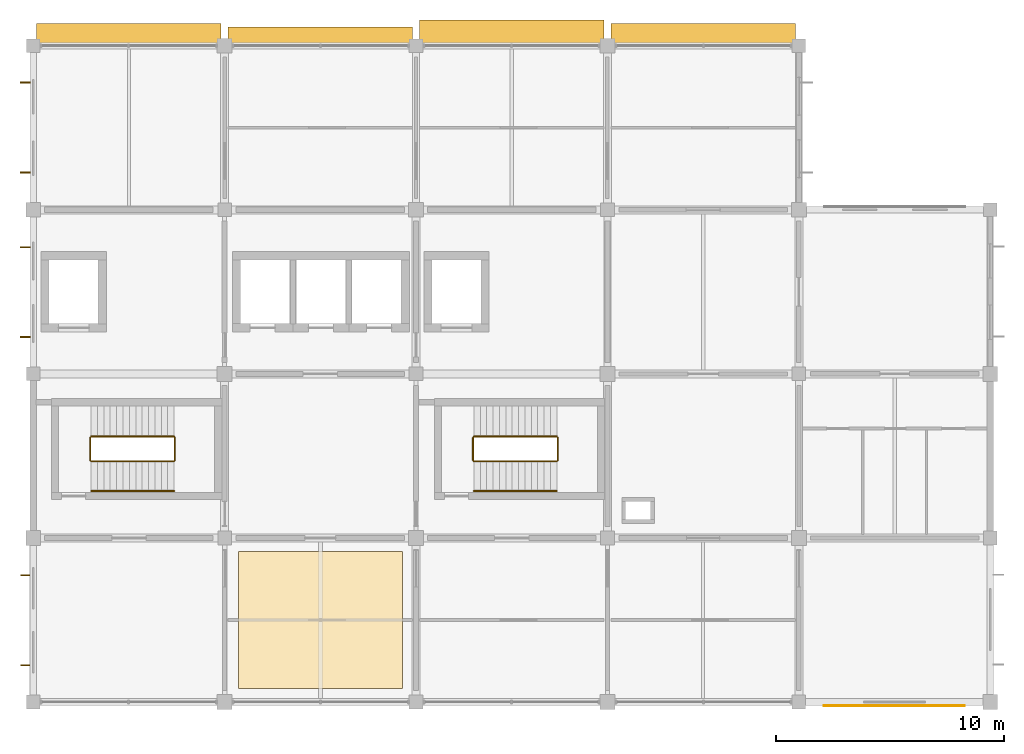
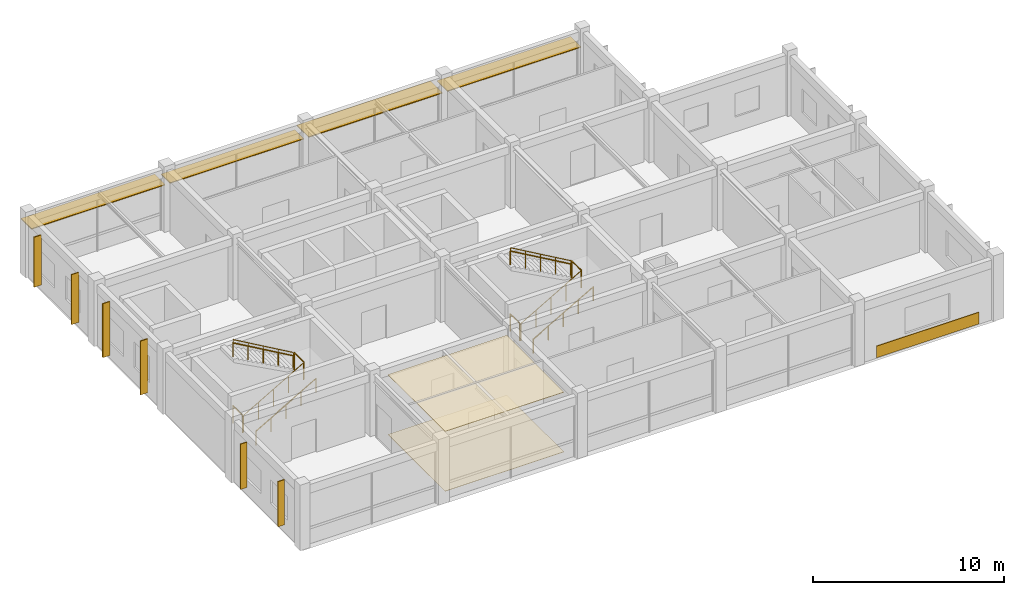
# One storey, part 12 of 13: 12 railings, 10 shading devices, 3 coverings.
"""IFC4 building model written with IfcOpenShell, lengths in metres."""

from ifc_helpers import new_model, si_unit, derived_unit, direction, frame, origin, origin_2d, place, context, subcontext, project, spatial, polyline, rectangle, circle, outline, extrude, material, layer, layer_set, type_object, element, save


model = new_model("IFC4")

# Units and contexts
model_context = context("Model", 3, precision=1e-05, world=origin(), true_north=direction((0.0, 1.0)))
body_context = subcontext(model_context, "Body", "Model", "MODEL_VIEW")
ifc_project = project(units=[si_unit("LENGTHUNIT", "METRE"), si_unit("AREAUNIT", "SQUARE_METRE"), si_unit("VOLUMEUNIT", "CUBIC_METRE"), si_unit("PLANEANGLEUNIT", "RADIAN"), si_unit("MASSUNIT", "GRAM", prefix="KILO"), derived_unit("THERMALTRANSMITTANCEUNIT", [(si_unit("MASSUNIT", "GRAM", prefix="KILO"), 1), (si_unit("TIMEUNIT", "SECOND"), -3), (si_unit("THERMODYNAMICTEMPERATUREUNIT", "KELVIN"), -1)])], contexts=[model_context])

# Site, building, storey
site_placement = place(None, origin())
site = spatial("IfcSite", under=ifc_project, at=site_placement, CompositionType="ELEMENT")
building_placement = place(site_placement, origin())
building = spatial("IfcBuilding", under=site, at=building_placement, Name="Veldstrom Oceanarium and Marine Research Institute", CompositionType="ELEMENT")
storey_placement = place(building_placement, frame((0.0, 0.0, 56.39990234375)))
storey = spatial("IfcBuildingStorey", under=building, at=storey_placement, Name="L12", CompositionType="ELEMENT", Elevation=56.39990234375)

# Coverings
ifc_material_1 = material(Name="Terracotta Spandrel Rainscreen Cladding", Category="masonry")
ifc_layer_1 = layer(ifc_material_1, 0.75)
ifc_layer_set_1 = layer_set([ifc_layer_1], Name="ARC-COV-CD2")
covering_type_1 = type_object("IfcCoveringType", Name="ARC-COV-CD2", PredefinedType="CLADDING", material=ifc_layer_set_1)
covering_1_placement = place(storey_placement, frame((113.387451171875, 43.029052734375, 0.045166015625), z_axis=(0.0, 0.0, 1.0), x_axis=(1.0, 0.0, 0.0)))
element("IfcCovering", 1, at=covering_1_placement, inside=storey, type_object=covering_type_1, Name="Spandrel Rainscreen Cladding L12-159", PredefinedType="CLADDING", context=body_context, shape_type="SweptSolid", body=[
    extrude(rectangle(XDim=6.199951171875, YDim=0.0400390625, at=origin_2d()), origin(), (0.0, 0.0, 1.0), 0.75),
])
ifc_material_2 = material(Name="Mineral-Fibre Acoustic Ceiling Tile", Category="gypsum")
ifc_layer_2 = layer(ifc_material_2, 0.02490234375)
ifc_layer_set_2 = layer_set([ifc_layer_2], Name="ARC-COV-CL1")
covering_type_2 = type_object("IfcCoveringType", Name="ARC-COV-CL1", PredefinedType="CEILING", material=ifc_layer_set_2)
covering_2_placement = place(storey_placement, frame((0.0, 0.0, 3.8251953125)))
element("IfcCovering", 2, at=covering_2_placement, inside=storey, type_object=covering_type_2, Name="Suspended Acoustic Ceiling L12", PredefinedType="CEILING", context=body_context, shape_type="SweptSolid", body=[
    extrude(outline(polyline([(84.60009765625, 43.800048828125), (91.800048828125, 43.800048828125), (91.800048828125, 49.800048828125), (84.60009765625, 49.800048828125), (84.60009765625, 43.800048828125)])), origin(), (0.0, 0.0, 1.0), 0.02490234375),
])
ifc_material_3 = material(Name="Polished Terrazzo and Marine Epoxy Flooring", Category="concrete")
ifc_layer_3 = layer(ifc_material_3, 0.02001953125)
ifc_layer_set_3 = layer_set([ifc_layer_3], Name="ARC-COV-FL1")
covering_type_3 = type_object("IfcCoveringType", Name="ARC-COV-FL1", PredefinedType="FLOORING", material=ifc_layer_set_3)
covering_3_placement = place(storey_placement, origin())
element("IfcCovering", 3, at=covering_3_placement, inside=storey, type_object=covering_type_3, Name="Terrazzo and Marine Epoxy Floor Finish L12", PredefinedType="FLOORING", context=body_context, shape_type="SweptSolid", body=[
    extrude(outline(polyline([(84.60009765625, 43.800048828125), (91.800048828125, 43.800048828125), (91.800048828125, 49.800048828125), (84.60009765625, 49.800048828125), (84.60009765625, 43.800048828125)])), origin(), (0.0, 0.0, 1.0), 0.02001953125),
])

# Railings
ifc_material_4 = material(Name="Duplex Stainless Steel Balustrade", Category="steel")
ifc_layer_4 = layer(ifc_material_4, 0.06005859375)
ifc_layer_set_4 = layer_set([ifc_layer_4], Name="ARC-RLG-GR1")
railing_type_1 = type_object("IfcRailingType", Name="ARC-RLG-GR1", PredefinedType="GUARDRAIL", material=ifc_layer_set_4)
railing_1_placement = place(storey_placement, frame((78.10009765625, 53.800048828125, 0.0)))
element("IfcRailing", 4, at=railing_1_placement, inside=storey, type_object=railing_type_1, Name="Stair Well Landing Guard ST1 L12", PredefinedType="GUARDRAIL", context=body_context, shape_type="SweptSolid", body=[
    extrude(circle(Radius=0.02392578125, at=origin_2d()), frame((0.0, 0.0, 1.09619140625), z_axis=(0.0, 1.0, 0.0), x_axis=(-1.0, 0.0, 0.0)), (0.0, 0.0, 1.0), 1.0),
    extrude(circle(Radius=0.02099609375, at=origin_2d()), origin(), (0.0, 0.0, 1.0), 1.072021484375),
    extrude(circle(Radius=0.02099609375, at=origin_2d()), frame((0.0, 1.0, 0.0)), (0.0, 0.0, 1.0), 1.072021484375),
])
railing_2_placement = place(storey_placement, frame((78.139892578125, 53.760009765625, 0.0)))
element("IfcRailing", 5, at=railing_2_placement, inside=storey, type_object=railing_type_1, Name="Stair Flight Guardrail ST1-L12-1", PredefinedType="GUARDRAIL", context=body_context, shape_type="SweptSolid", body=[
    extrude(circle(Radius=0.02392578125, at=origin_2d()), frame((0.0, 0.0, 1.09619140625), z_axis=(0.86618365172, 0.0, 0.499725806311), x_axis=(0.0, 1.0, 0.0)), (0.0, 0.0, 1.0), 4.202392578125),
    extrude(circle(Radius=0.02099609375, at=origin_2d()), origin(), (0.0, 0.0, 1.0), 1.072021484375),
    extrude(circle(Radius=0.02099609375, at=origin_2d()), frame((0.91015625, 0.0, 0.52490234375)), (0.0, 0.0, 1.0), 1.072021484375),
    extrude(circle(Radius=0.02099609375, at=origin_2d()), frame((1.820068359375, 0.0, 1.050048828125)), (0.0, 0.0, 1.0), 1.072021484375),
    extrude(circle(Radius=0.02099609375, at=origin_2d()), frame((2.72998046875, 0.0, 1.5751953125)), (0.0, 0.0, 1.0), 1.072021484375),
    extrude(circle(Radius=0.02099609375, at=origin_2d()), frame((3.64013671875, 0.0, 2.10009765625)), (0.0, 0.0, 1.0), 1.072021484375),
])
railing_3_placement = place(storey_placement, frame((81.820068359375, 53.800048828125, 2.10009765625)))
element("IfcRailing", 6, at=railing_3_placement, inside=storey, type_object=railing_type_1, Name="Stair Half-Landing Guardrail ST1-L12", PredefinedType="GUARDRAIL", context=body_context, shape_type="SweptSolid", body=[
    extrude(circle(Radius=0.02392578125, at=origin_2d()), frame((0.0, 0.0, 1.09619140625), z_axis=(0.0, 1.0, 0.0), x_axis=(-1.0, 0.0, 0.0)), (0.0, 0.0, 1.0), 1.0),
    extrude(circle(Radius=0.02099609375, at=origin_2d()), origin(), (0.0, 0.0, 1.0), 1.072021484375),
    extrude(circle(Radius=0.02099609375, at=origin_2d()), frame((0.0, 1.0, 0.0)), (0.0, 0.0, 1.0), 1.072021484375),
])
railing_4_placement = place(storey_placement, frame((81.780029296875, 54.840087890625, 2.10009765625)))
element("IfcRailing", 7, at=railing_4_placement, inside=storey, type_object=railing_type_1, Name="Stair Flight Guardrail ST1-L12-2", PredefinedType="GUARDRAIL", context=body_context, shape_type="SweptSolid", body=[
    extrude(circle(Radius=0.02392578125, at=origin_2d()), frame((0.0, 0.0, 1.09619140625), z_axis=(-0.86618365172, 0.0, 0.499725806311), x_axis=(0.0, -1.0, 0.0)), (0.0, 0.0, 1.0), 4.202392578125),
    extrude(circle(Radius=0.02099609375, at=origin_2d()), origin(), (0.0, 0.0, 1.0), 1.072021484375),
    extrude(circle(Radius=0.02099609375, at=origin_2d()), frame((-0.91015625, 0.0, 0.52490234375)), (0.0, 0.0, 1.0), 1.072021484375),
    extrude(circle(Radius=0.02099609375, at=origin_2d()), frame((-1.820068359375, 0.0, 1.050048828125)), (0.0, 0.0, 1.0), 1.072021484375),
    extrude(circle(Radius=0.02099609375, at=origin_2d()), frame((-2.72998046875, 0.0, 1.5751953125)), (0.0, 0.0, 1.0), 1.072021484375),
    extrude(circle(Radius=0.02099609375, at=origin_2d()), frame((-3.64013671875, 0.0, 2.10009765625)), (0.0, 0.0, 1.0), 1.072021484375),
])
railing_5_placement = place(storey_placement, frame((94.89990234375, 53.800048828125, 0.0)))
element("IfcRailing", 8, at=railing_5_placement, inside=storey, type_object=railing_type_1, Name="Stair Well Landing Guard ST2 L12", PredefinedType="GUARDRAIL", context=body_context, shape_type="SweptSolid", body=[
    extrude(circle(Radius=0.02392578125, at=origin_2d()), frame((0.0, 0.0, 1.09619140625), z_axis=(0.0, 1.0, 0.0), x_axis=(-1.0, 0.0, 0.0)), (0.0, 0.0, 1.0), 1.0),
    extrude(circle(Radius=0.02099609375, at=origin_2d()), origin(), (0.0, 0.0, 1.0), 1.072021484375),
    extrude(circle(Radius=0.02099609375, at=origin_2d()), frame((0.0, 1.0, 0.0)), (0.0, 0.0, 1.0), 1.072021484375),
])
railing_6_placement = place(storey_placement, frame((94.93994140625, 53.760009765625, 0.0)))
element("IfcRailing", 9, at=railing_6_placement, inside=storey, type_object=railing_type_1, Name="Stair Flight Guardrail ST2-L12-1", PredefinedType="GUARDRAIL", context=body_context, shape_type="SweptSolid", body=[
    extrude(circle(Radius=0.02392578125, at=origin_2d()), frame((0.0, 0.0, 1.09619140625), z_axis=(0.86618365172, 0.0, 0.499725806311), x_axis=(0.0, 1.0, 0.0)), (0.0, 0.0, 1.0), 4.202392578125),
    extrude(circle(Radius=0.02099609375, at=origin_2d()), origin(), (0.0, 0.0, 1.0), 1.072021484375),
    extrude(circle(Radius=0.02099609375, at=origin_2d()), frame((0.91015625, 0.0, 0.52490234375)), (0.0, 0.0, 1.0), 1.072021484375),
    extrude(circle(Radius=0.02099609375, at=origin_2d()), frame((1.820068359375, 0.0, 1.050048828125)), (0.0, 0.0, 1.0), 1.072021484375),
    extrude(circle(Radius=0.02099609375, at=origin_2d()), frame((2.72998046875, 0.0, 1.5751953125)), (0.0, 0.0, 1.0), 1.072021484375),
    extrude(circle(Radius=0.02099609375, at=origin_2d()), frame((3.64013671875, 0.0, 2.10009765625)), (0.0, 0.0, 1.0), 1.072021484375),
])
railing_7_placement = place(storey_placement, frame((98.6201171875, 53.800048828125, 2.10009765625)))
element("IfcRailing", 10, at=railing_7_placement, inside=storey, type_object=railing_type_1, Name="Stair Half-Landing Guardrail ST2-L12", PredefinedType="GUARDRAIL", context=body_context, shape_type="SweptSolid", body=[
    extrude(circle(Radius=0.02392578125, at=origin_2d()), frame((0.0, 0.0, 1.09619140625), z_axis=(0.0, 1.0, 0.0), x_axis=(-1.0, 0.0, 0.0)), (0.0, 0.0, 1.0), 1.0),
    extrude(circle(Radius=0.02099609375, at=origin_2d()), origin(), (0.0, 0.0, 1.0), 1.072021484375),
    extrude(circle(Radius=0.02099609375, at=origin_2d()), frame((0.0, 1.0, 0.0)), (0.0, 0.0, 1.0), 1.072021484375),
])
railing_8_placement = place(storey_placement, frame((98.580078125, 54.840087890625, 2.10009765625)))
element("IfcRailing", 11, at=railing_8_placement, inside=storey, type_object=railing_type_1, Name="Stair Flight Guardrail ST2-L12-2", PredefinedType="GUARDRAIL", context=body_context, shape_type="SweptSolid", body=[
    extrude(circle(Radius=0.02392578125, at=origin_2d()), frame((0.0, 0.0, 1.09619140625), z_axis=(-0.86618365172, 0.0, 0.499725806311), x_axis=(0.0, -1.0, 0.0)), (0.0, 0.0, 1.0), 4.202392578125),
    extrude(circle(Radius=0.02099609375, at=origin_2d()), origin(), (0.0, 0.0, 1.0), 1.072021484375),
    extrude(circle(Radius=0.02099609375, at=origin_2d()), frame((-0.91015625, 0.0, 0.52490234375)), (0.0, 0.0, 1.0), 1.072021484375),
    extrude(circle(Radius=0.02099609375, at=origin_2d()), frame((-1.820068359375, 0.0, 1.050048828125)), (0.0, 0.0, 1.0), 1.072021484375),
    extrude(circle(Radius=0.02099609375, at=origin_2d()), frame((-2.72998046875, 0.0, 1.5751953125)), (0.0, 0.0, 1.0), 1.072021484375),
    extrude(circle(Radius=0.02099609375, at=origin_2d()), frame((-3.64013671875, 0.0, 2.10009765625)), (0.0, 0.0, 1.0), 1.072021484375),
])
ifc_material_5 = material(Name="Brushed Stainless Steel Handrail", Category="steel")
ifc_layer_5 = layer(ifc_material_5, 0.050048828125)
ifc_layer_set_5 = layer_set([ifc_layer_5], Name="ARC-RLG-HR1")
railing_type_2 = type_object("IfcRailingType", Name="ARC-RLG-HR1", PredefinedType="HANDRAIL", material=ifc_layer_set_5)
railing_9_placement = place(storey_placement, frame((78.139892578125, 52.4599609375, 0.0)))
element("IfcRailing", 12, at=railing_9_placement, inside=storey, type_object=railing_type_2, Name="Stair Wall Handrail ST1-L12-1", PredefinedType="HANDRAIL", context=body_context, shape_type="SweptSolid", body=[
    extrude(circle(Radius=0.02392578125, at=origin_2d()), frame((0.0, 0.0, 0.8759765625), z_axis=(0.86618365172, 0.0, 0.499725806311), x_axis=(0.0, 1.0, 0.0)), (0.0, 0.0, 1.0), 4.202392578125),
    extrude(circle(Radius=0.02099609375, at=origin_2d()), origin(), (0.0, 0.0, 1.0), 0.851806640625),
    extrude(circle(Radius=0.02099609375, at=origin_2d()), frame((0.91015625, 0.0, 0.52490234375)), (0.0, 0.0, 1.0), 0.851806640625),
    extrude(circle(Radius=0.02099609375, at=origin_2d()), frame((1.820068359375, 0.0, 1.050048828125)), (0.0, 0.0, 1.0), 0.851806640625),
    extrude(circle(Radius=0.02099609375, at=origin_2d()), frame((2.72998046875, 0.0, 1.5751953125)), (0.0, 0.0, 1.0), 0.851806640625),
    extrude(circle(Radius=0.02099609375, at=origin_2d()), frame((3.64013671875, 0.0, 2.10009765625)), (0.0, 0.0, 1.0), 0.851806640625),
])
railing_10_placement = place(storey_placement, frame((81.780029296875, 54.860107421875, 2.10009765625)))
element("IfcRailing", 13, at=railing_10_placement, inside=storey, type_object=railing_type_2, Name="Stair Wall Handrail ST1-L12-2", PredefinedType="HANDRAIL", context=body_context, shape_type="SweptSolid", body=[
    extrude(circle(Radius=0.02392578125, at=origin_2d()), frame((0.0, 0.0, 0.8759765625), z_axis=(-0.86618365172, 0.0, 0.499725806311), x_axis=(0.0, -1.0, 0.0)), (0.0, 0.0, 1.0), 4.202392578125),
    extrude(circle(Radius=0.02099609375, at=origin_2d()), origin(), (0.0, 0.0, 1.0), 0.851806640625),
    extrude(circle(Radius=0.02099609375, at=origin_2d()), frame((-0.91015625, 0.0, 0.52490234375)), (0.0, 0.0, 1.0), 0.851806640625),
    extrude(circle(Radius=0.02099609375, at=origin_2d()), frame((-1.820068359375, 0.0, 1.050048828125)), (0.0, 0.0, 1.0), 0.851806640625),
    extrude(circle(Radius=0.02099609375, at=origin_2d()), frame((-2.72998046875, 0.0, 1.5751953125)), (0.0, 0.0, 1.0), 0.851806640625),
    extrude(circle(Radius=0.02099609375, at=origin_2d()), frame((-3.64013671875, 0.0, 2.10009765625)), (0.0, 0.0, 1.0), 0.851806640625),
])
railing_11_placement = place(storey_placement, frame((94.93994140625, 52.4599609375, 0.0)))
element("IfcRailing", 14, at=railing_11_placement, inside=storey, type_object=railing_type_2, Name="Stair Wall Handrail ST2-L12-1", PredefinedType="HANDRAIL", context=body_context, shape_type="SweptSolid", body=[
    extrude(circle(Radius=0.02392578125, at=origin_2d()), frame((0.0, 0.0, 0.8759765625), z_axis=(0.86618365172, 0.0, 0.499725806311), x_axis=(0.0, 1.0, 0.0)), (0.0, 0.0, 1.0), 4.202392578125),
    extrude(circle(Radius=0.02099609375, at=origin_2d()), origin(), (0.0, 0.0, 1.0), 0.851806640625),
    extrude(circle(Radius=0.02099609375, at=origin_2d()), frame((0.91015625, 0.0, 0.52490234375)), (0.0, 0.0, 1.0), 0.851806640625),
    extrude(circle(Radius=0.02099609375, at=origin_2d()), frame((1.820068359375, 0.0, 1.050048828125)), (0.0, 0.0, 1.0), 0.851806640625),
    extrude(circle(Radius=0.02099609375, at=origin_2d()), frame((2.72998046875, 0.0, 1.5751953125)), (0.0, 0.0, 1.0), 0.851806640625),
    extrude(circle(Radius=0.02099609375, at=origin_2d()), frame((3.64013671875, 0.0, 2.10009765625)), (0.0, 0.0, 1.0), 0.851806640625),
])
railing_12_placement = place(storey_placement, frame((98.580078125, 54.860107421875, 2.10009765625)))
element("IfcRailing", 15, at=railing_12_placement, inside=storey, type_object=railing_type_2, Name="Stair Wall Handrail ST2-L12-2", PredefinedType="HANDRAIL", context=body_context, shape_type="SweptSolid", body=[
    extrude(circle(Radius=0.02392578125, at=origin_2d()), frame((0.0, 0.0, 0.8759765625), z_axis=(-0.86618365172, 0.0, 0.499725806311), x_axis=(0.0, -1.0, 0.0)), (0.0, 0.0, 1.0), 4.202392578125),
    extrude(circle(Radius=0.02099609375, at=origin_2d()), origin(), (0.0, 0.0, 1.0), 0.851806640625),
    extrude(circle(Radius=0.02099609375, at=origin_2d()), frame((-0.91015625, 0.0, 0.52490234375)), (0.0, 0.0, 1.0), 0.851806640625),
    extrude(circle(Radius=0.02099609375, at=origin_2d()), frame((-1.820068359375, 0.0, 1.050048828125)), (0.0, 0.0, 1.0), 0.851806640625),
    extrude(circle(Radius=0.02099609375, at=origin_2d()), frame((-2.72998046875, 0.0, 1.5751953125)), (0.0, 0.0, 1.0), 0.851806640625),
    extrude(circle(Radius=0.02099609375, at=origin_2d()), frame((-3.64013671875, 0.0, 2.10009765625)), (0.0, 0.0, 1.0), 0.851806640625),
])

# Shading devices
ifc_material_6 = material(Name="Precast Terracotta Brise-Soleil Louvre", Category="masonry")
ifc_layer_6 = layer(ifc_material_6, 3.60009765625)
ifc_layer_set_6 = layer_set([ifc_layer_6], Name="ARC-SHD-BS01")
shading_device_type_1 = type_object("IfcShadingDeviceType", Name="ARC-SHD-BS01", PredefinedType="JALOUSIE", material=ifc_layer_set_6)
for number, where, z_axis, x_axis, name in (
    (16, (75.2451171875, 59.215087890625, 0.2001953125), (0.0, 0.0, 1.0), (1.0, 0.0, 0.0), "Terracotta Brise-Soleil Louvre L12-156"),
    (17, (75.2451171875, 63.159912109375, 0.2001953125), (0.0, 0.0, 1.0), (1.0, 0.0, 0.0), "Terracotta Brise-Soleil Louvre L12-156"),
):
    element("IfcShadingDevice", number, at=place(storey_placement, frame(where, z_axis=z_axis, x_axis=x_axis)), inside=storey, type_object=shading_device_type_1, Name=name, PredefinedType="JALOUSIE", context=body_context, shape_type="SweptSolid", body=[
        extrude(rectangle(XDim=0.449951171875, YDim=0.06005859375, at=origin_2d()), origin(), (0.0, 0.0, 1.0), 3.449951171875),
    ])
ifc_material_7 = material(Name="Precast Terracotta Brise-Soleil Louvre", Category="masonry")
ifc_layer_7 = layer(ifc_material_7, 3.199951171875)
ifc_layer_set_7 = layer_set([ifc_layer_7], Name="ARC-SHD-BS02")
shading_device_type_2 = type_object("IfcShadingDeviceType", Name="ARC-SHD-BS02", PredefinedType="JALOUSIE", material=ifc_layer_set_7)
for number, where, z_axis, x_axis, name in (
    (18, (75.2548828125, 66.43994140625, 0.3251953125), (0.0, 0.0, 1.0), (1.0, 0.0, 0.0), "Terracotta Brise-Soleil Louvre L12-157"),
    (19, (75.2548828125, 70.385009765625, 0.3251953125), (0.0, 0.0, 1.0), (1.0, 0.0, 0.0), "Terracotta Brise-Soleil Louvre L12-157"),
):
    element("IfcShadingDevice", number, at=place(storey_placement, frame(where, z_axis=z_axis, x_axis=x_axis)), inside=storey, type_object=shading_device_type_2, Name=name, PredefinedType="JALOUSIE", context=body_context, shape_type="SweptSolid", body=[
        extrude(rectangle(XDim=0.449951171875, YDim=0.06005859375, at=origin_2d()), origin(), (0.0, 0.0, 1.0), 3.199951171875),
    ])
ifc_material_8 = material(Name="Precast Terracotta Brise-Soleil Louvre", Category="masonry")
ifc_layer_8 = layer(ifc_material_8, 2.89990234375)
ifc_layer_set_8 = layer_set([ifc_layer_8], Name="ARC-SHD-BS04")
shading_device_type_3 = type_object("IfcShadingDeviceType", Name="ARC-SHD-BS04", PredefinedType="JALOUSIE", material=ifc_layer_set_8)
for number, where, z_axis, x_axis, name in (
    (20, (75.25, 44.81494140625, 0.47509765625), (0.0, 0.0, 1.0), (1.0, 0.0, 0.0), "Terracotta Brise-Soleil Louvre L12-155"),
    (21, (75.25, 48.760009765625, 0.47509765625), (0.0, 0.0, 1.0), (1.0, 0.0, 0.0), "Terracotta Brise-Soleil Louvre L12-155"),
):
    element("IfcShadingDevice", number, at=place(storey_placement, frame(where, z_axis=z_axis, x_axis=x_axis)), inside=storey, type_object=shading_device_type_3, Name=name, PredefinedType="JALOUSIE", context=body_context, shape_type="SweptSolid", body=[
        extrude(rectangle(XDim=0.39990234375, YDim=0.054931640625, at=origin_2d()), origin(), (0.0, 0.0, 1.0), 2.89990234375),
    ])
ifc_material_9 = material(Name="Perforated Anodised Aluminium Louvre", Category="aluminium")
ifc_layer_9 = layer(ifc_material_9, 0.054931640625)
ifc_layer_set_9 = layer_set([ifc_layer_9], Name="ARC-SHD-SH01")
shading_device_type_4 = type_object("IfcShadingDeviceType", Name="ARC-SHD-SH01", PredefinedType="AWNING", material=ifc_layer_set_9)
shading_device_1_placement = place(storey_placement, frame((96.60009765625, 72.5048828125, 2.85009765625), z_axis=(0.0, 0.0, 1.0), x_axis=(1.0, 0.0, 0.0)))
element("IfcShadingDevice", 22, at=shading_device_1_placement, inside=storey, type_object=shading_device_type_4, Name="North Solar Canopy Louvre L12-12", PredefinedType="AWNING", context=body_context, shape_type="SweptSolid", body=[
    extrude(rectangle(XDim=8.10009765625, YDim=1.25, at=origin_2d()), origin(), (0.0, 0.0, 1.0), 0.054931640625),
])
ifc_material_10 = material(Name="Perforated Anodised Aluminium Louvre", Category="aluminium")
ifc_layer_10 = layer(ifc_material_10, 0.050048828125)
ifc_layer_set_10 = layer_set([ifc_layer_10], Name="ARC-SHD-SH02")
shading_device_type_5 = type_object("IfcShadingDeviceType", Name="ARC-SHD-SH02", PredefinedType="AWNING", material=ifc_layer_set_10)
for number, where, z_axis, x_axis, name in (
    (23, (79.800048828125, 72.429931640625, 2.85009765625), (0.0, 0.0, 1.0), (1.0, 0.0, 0.0), "North Solar Canopy Louvre L12-10"),
    (24, (105.0, 72.429931640625, 2.85009765625), (0.0, 0.0, 1.0), (1.0, 0.0, 0.0), "North Solar Canopy Louvre L12-13"),
):
    element("IfcShadingDevice", number, at=place(storey_placement, frame(where, z_axis=z_axis, x_axis=x_axis)), inside=storey, type_object=shading_device_type_5, Name=name, PredefinedType="AWNING", context=body_context, shape_type="SweptSolid", body=[
        extrude(rectangle(XDim=8.10009765625, YDim=1.10009765625, at=origin_2d()), origin(), (0.0, 0.0, 1.0), 0.050048828125),
    ])
ifc_material_11 = material(Name="Perforated Anodised Aluminium Louvre", Category="aluminium")
ifc_layer_11 = layer(ifc_material_11, 0.044921875)
ifc_layer_set_11 = layer_set([ifc_layer_11], Name="ARC-SHD-SH03")
shading_device_type_6 = type_object("IfcShadingDeviceType", Name="ARC-SHD-SH03", PredefinedType="AWNING", material=ifc_layer_set_11)
shading_device_2_placement = place(storey_placement, frame((88.199951171875, 72.35498046875, 2.85009765625), z_axis=(0.0, 0.0, 1.0), x_axis=(1.0, 0.0, 0.0)))
element("IfcShadingDevice", 25, at=shading_device_2_placement, inside=storey, type_object=shading_device_type_6, Name="North Solar Canopy Louvre L12-11", PredefinedType="AWNING", context=body_context, shape_type="SweptSolid", body=[
    extrude(rectangle(XDim=8.10009765625, YDim=0.949951171875, at=origin_2d()), origin(), (0.0, 0.0, 1.0), 0.044921875),
])

save(model, "model.ifc")
